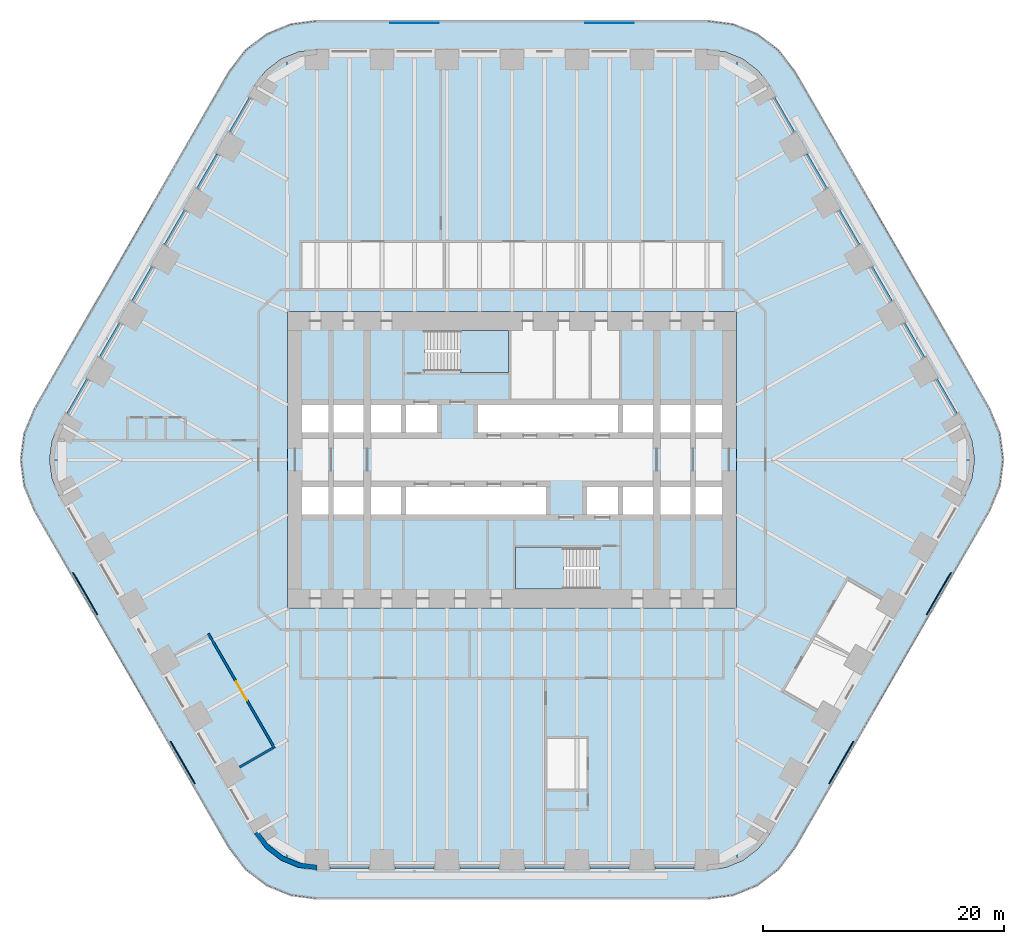
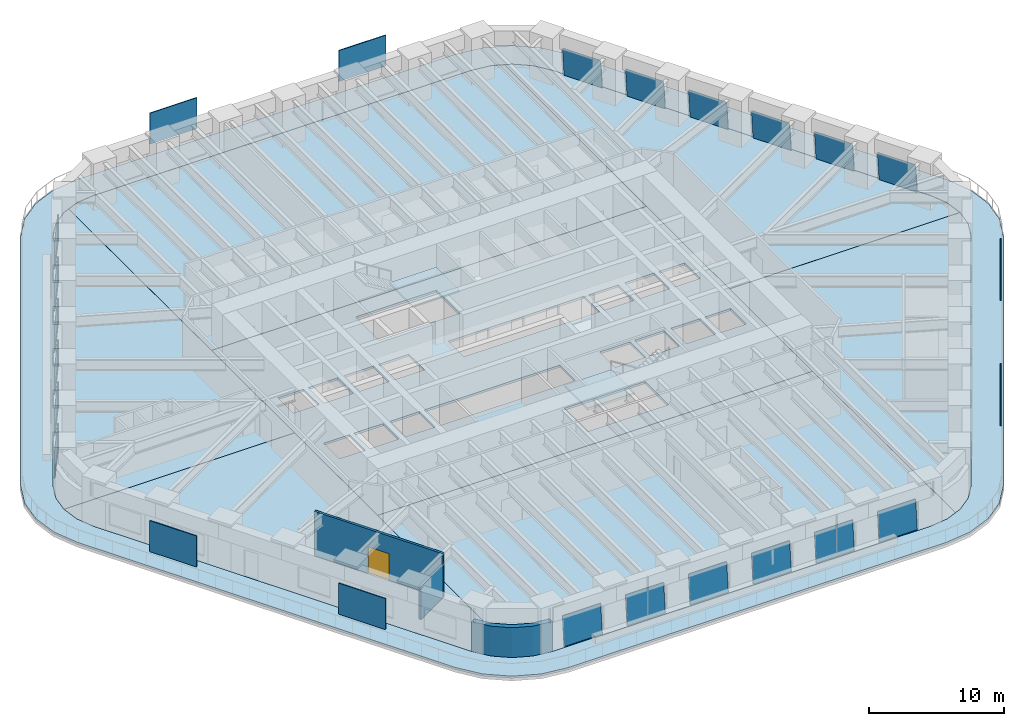
# One storey, part 15 of 23: 24 plates, 10 slabs, 3 walls, 1 door, 1 opening, 20 elements without a shape of their own.
"""IFC4 building model written with IfcOpenShell, lengths in metres."""

from ifc_helpers import new_model, si_unit, direction, frame, frame_2d, origin, origin_2d, place, context, subcontext, project, spatial, polyline, rectangle, outline, extrude, material, layer, layer_set, type_object, element, fill, aggregate, save


model = new_model("IFC4")

# Units and contexts
model_context = context("Model", 3, precision=1e-05, world=origin(), true_north=direction((0.0, 1.0)))
body_context = subcontext(model_context, "Body", "Model", "MODEL_VIEW")
ifc_project = project(units=[si_unit("LENGTHUNIT", "METRE"), si_unit("AREAUNIT", "SQUARE_METRE"), si_unit("VOLUMEUNIT", "CUBIC_METRE"), si_unit("PLANEANGLEUNIT", "RADIAN"), si_unit("MASSUNIT", "GRAM", prefix="KILO")], contexts=[model_context])

# Site, building, storey
site_placement = place(None, origin())
site = spatial("IfcSite", under=ifc_project, at=site_placement, CompositionType="ELEMENT")
building_placement = place(site_placement, origin())
building = spatial("IfcBuilding", under=site, at=building_placement, Name="Tarfa Lantern Tower", CompositionType="ELEMENT")
storey_placement = place(building_placement, frame((0.0, 0.0, 82.300048828125)))
storey = spatial("IfcBuildingStorey", under=building, at=storey_placement, Name="L18", CompositionType="ELEMENT", Elevation=82.300048828125)

# Slab
ifc_material_1 = material(Name="Concrete C40/50", Category="concrete")
ifc_layer_1 = layer(ifc_material_1, 0.199951171875)
ifc_layer_set_1 = layer_set([ifc_layer_1], Name="BS2 BALCONY SLAB 200")
slab_type_1 = type_object("IfcSlabType", Name="BS2 BALCONY SLAB 200", PredefinedType="FLOOR", material=ifc_layer_set_1)
slab_1_placement = place(storey_placement, frame((0.0, 0.0, -0.199951171875)))
element("IfcSlab", 1, at=slab_1_placement, inside=storey, type_object=slab_type_1, Name="Balcony L18", PredefinedType="FLOOR", context=body_context, shape_type="SweptSolid", body=[
    extrude(outline(polyline([(39.606201171875, 4.199951171875), (23.4404296875, 32.199951171875), (22.10546875, 33.939697265625), (20.36572265625, 35.274658203125), (18.33984375, 36.11376953125), (16.165771484375, 36.39990234375), (-16.165771484375, 36.39990234375), (-18.33984375, 36.11376953125), (-20.36572265625, 35.274658203125), (-22.10546875, 33.939697265625), (-23.4404296875, 32.199951171875), (-39.606201171875, 4.199951171875), (-40.4453125, 2.174072265625), (-40.731689453125, 0.0), (-40.4453125, -2.174072265625), (-39.606201171875, -4.199951171875), (-23.4404296875, -32.199951171875), (-22.10546875, -33.939697265625), (-20.36572265625, -35.274658203125), (-18.33984375, -36.11376953125), (-16.165771484375, -36.39990234375), (16.165771484375, -36.39990234375), (18.33984375, -36.11376953125), (20.36572265625, -35.274658203125), (22.10546875, -33.939697265625), (23.4404296875, -32.199951171875), (39.606201171875, -4.199951171875), (40.4453125, -2.174072265625), (40.731689453125, 0.0), (40.4453125, 2.174072265625), (39.606201171875, 4.199951171875)]), holes=[polyline([(37.52783203125, 3.0), (21.362060546875, 31.0), (20.408447265625, 32.24267578125), (19.165771484375, 33.196044921875), (17.71875, 33.795654296875), (16.165771484375, 34.0), (-16.165771484375, 34.0), (-17.71875, 33.795654296875), (-19.165771484375, 33.196044921875), (-20.408447265625, 32.24267578125), (-21.362060546875, 31.0), (-37.52783203125, 3.0), (-38.127197265625, 1.552978515625), (-38.33154296875, 0.0), (-38.127197265625, -1.552978515625), (-37.52783203125, -3.0), (-21.362060546875, -31.0), (-20.408447265625, -32.24267578125), (-19.165771484375, -33.196044921875), (-17.71875, -33.795654296875), (-16.165771484375, -34.0), (16.165771484375, -34.0), (17.71875, -33.795654296875), (19.165771484375, -33.196044921875), (20.408447265625, -32.24267578125), (21.362060546875, -31.0), (37.52783203125, -3.0), (38.127197265625, -1.552978515625), (38.33154296875, 0.0), (38.127197265625, 1.552978515625), (37.52783203125, 3.0)])]), origin(), (0.0, 0.0, 1.0), 0.199951171875),
])

# Curtain wall, plate
ifc_material_2 = material(Name="Aluminium framed curtain wall", Category="aluminium")
curtain_wall_type = type_object("IfcCurtainWallType", Name="CW1 CANTED GLAZING LOW ZONE 2700", PredefinedType="USERDEFINED", material=ifc_material_2)
curtain_wall_1_placement = place(storey_placement, origin())
curtain_wall_1 = element("IfcCurtainWall", 2, at=curtain_wall_1_placement, inside=storey, type_object=curtain_wall_type, Name="CW1 NE L18", ObjectType="CURTAIN WALL", PredefinedType="USERDEFINED")
ifc_material_3 = material(Name="Laminated double glazing", Category="glass")
ifc_layer_2 = layer(ifc_material_3, 0.028076171875)
ifc_layer_set_2 = layer_set([ifc_layer_2], Name="CWP1 DOUBLE GLAZED PANEL")
plate_type_1 = type_object("IfcPlateType", Name="CWP1 DOUBLE GLAZED PANEL", PredefinedType="CURTAIN_PANEL", material=ifc_layer_set_2)
plate_1_placement = place(storey_placement, frame((36.90869140625, 3.872314453125, 0.0), z_axis=(0.862338266797, 0.497864384763, 0.09221587717), x_axis=(-0.499995082658, 0.86602824279, 2.978908e-06)))
plate_1 = element("IfcPlate", 3, at=plate_1_placement, type_object=plate_type_1, Name="CW1 panel 1.1", PredefinedType="CURTAIN_PANEL", context=body_context, shape_type="SweptSolid", body=[
    extrude(outline(polyline([(0.0, 0.0), (3.258639560562134, 0.0), (3.2585208536427297, 2.646275738901332), (3.3621925729925773e-06, 2.646295235988971), (0.0, 0.0)])), origin(), (0.0, 0.0, -1.0), 0.028076171875),
])
aggregate(curtain_wall_1, [plate_1])

curtain_wall_2_placement = place(storey_placement, origin())
curtain_wall_2 = element("IfcCurtainWall", 4, at=curtain_wall_2_placement, inside=storey, type_object=curtain_wall_type, Name="CW1 NE L18", ObjectType="CURTAIN WALL", PredefinedType="USERDEFINED")
plate_2_placement = place(storey_placement, frame((34.21435546875, 8.5390625, 0.0), z_axis=(0.862325290636, 0.497894194109, 0.092176269198), x_axis=(-0.500022939057, 0.866012159509, 0.0)))
plate_2 = element("IfcPlate", 5, at=plate_2_placement, type_object=plate_type_1, Name="CW1 panel 1.1", PredefinedType="CURTAIN_PANEL", context=body_context, shape_type="SweptSolid", body=[
    extrude(outline(polyline([(0.0, 0.0), (3.2586395622623687, 0.0), (3.2585208519425555, 2.6462757409948594), (-0.0001187103198132533, 2.6462757409948594), (0.0, 0.0)])), origin(), (0.0, 0.0, -1.0), 0.028076171875),
])
aggregate(curtain_wall_2, [plate_2])

curtain_wall_3_placement = place(storey_placement, origin())
curtain_wall_3 = element("IfcCurtainWall", 6, at=curtain_wall_3_placement, inside=storey, type_object=curtain_wall_type, Name="CW1 NE L18", ObjectType="CURTAIN WALL", PredefinedType="USERDEFINED")
plate_3_placement = place(storey_placement, frame((31.52001953125, 13.20556640625, 0.0), z_axis=(0.862341934097, 0.49786650205, 0.092170140692), x_axis=(-0.499994605049, 0.866028518533, -2.977555e-06)))
plate_3 = element("IfcPlate", 7, at=plate_3_placement, type_object=plate_type_1, Name="CW1 panel 1.1", PredefinedType="CURTAIN_PANEL", context=body_context, shape_type="SweptSolid", body=[
    extrude(outline(polyline([(0.0, 0.0), (3.258517491508472, 2.7755575615628914e-17), (3.2587164564684317, 2.646283977845527), (7.689596458644864e-05, 2.6462644896978658), (0.0, 0.0)])), origin(), (0.0, 0.0, -1.0), 0.028076171875),
])
aggregate(curtain_wall_3, [plate_3])

curtain_wall_4_placement = place(storey_placement, origin())
curtain_wall_4 = element("IfcCurtainWall", 8, at=curtain_wall_4_placement, inside=storey, type_object=curtain_wall_type, Name="CW1 NE L18", ObjectType="CURTAIN WALL", PredefinedType="USERDEFINED")
plate_4_placement = place(storey_placement, frame((28.82568359375, 17.872314453125, 0.0), z_axis=(0.862338266797, 0.497864384763, 0.09221587717), x_axis=(-0.499994604812, 0.86602851867, -2.97902e-06)))
plate_4 = element("IfcPlate", 9, at=plate_4_placement, type_object=plate_type_1, Name="CW1 panel 1.1", PredefinedType="CURTAIN_PANEL", context=body_context, shape_type="SweptSolid", body=[
    extrude(outline(polyline([(0.0, 0.0), (3.2585174915084862, -2.7755575615628914e-17), (3.2585050197979823, 2.646295235961718), (-0.000134540705819584, 2.646275738143688), (0.0, 0.0)])), origin(), (0.0, 0.0, -1.0), 0.028076171875),
])
aggregate(curtain_wall_4, [plate_4])

curtain_wall_5_placement = place(storey_placement, origin())
curtain_wall_5 = element("IfcCurtainWall", 10, at=curtain_wall_5_placement, inside=storey, type_object=curtain_wall_type, Name="CW1 NE L18", ObjectType="CURTAIN WALL", PredefinedType="USERDEFINED")
plate_5_placement = place(storey_placement, frame((26.13134765625, 22.5390625, 0.0), z_axis=(0.862338266797, 0.497864384763, 0.09221587717), x_axis=(-0.499994604812, 0.86602851867, -2.97902e-06)))
plate_5 = element("IfcPlate", 11, at=plate_5_placement, type_object=plate_type_1, Name="CW1 panel 1.1", PredefinedType="CURTAIN_PANEL", context=body_context, shape_type="SweptSolid", body=[
    extrude(outline(polyline([(0.0, 0.0), (3.2585174915084862, -2.7755575615628914e-17), (3.2585050197979823, 2.646295235961718), (-0.000134540705819584, 2.646275738143688), (0.0, 0.0)])), origin(), (0.0, 0.0, -1.0), 0.028076171875),
])
aggregate(curtain_wall_5, [plate_5])

curtain_wall_6_placement = place(storey_placement, origin())
curtain_wall_6 = element("IfcCurtainWall", 12, at=curtain_wall_6_placement, inside=storey, type_object=curtain_wall_type, Name="CW1 NE L18", ObjectType="CURTAIN WALL", PredefinedType="USERDEFINED")
plate_6_placement = place(storey_placement, frame((23.437255859375, 27.20556640625, 0.0), z_axis=(0.862341934097, 0.49786650205, 0.092170140692), x_axis=(-0.499995082421, 0.866028242926, 2.977443e-06)))
plate_6 = element("IfcPlate", 13, at=plate_6_placement, type_object=plate_type_1, Name="CW1 panel 1.1", PredefinedType="CURTAIN_PANEL", context=body_context, shape_type="SweptSolid", body=[
    extrude(outline(polyline([(0.0, 0.0), (3.2586395605621195, -2.7755575615628914e-17), (3.2587322823927347, 2.64626448919067), (0.0002147909425344405, 2.6462839766083026), (0.0, 0.0)])), origin(), (0.0, 0.0, -1.0), 0.028076171875),
])
aggregate(curtain_wall_6, [plate_6])

curtain_wall_7_placement = place(storey_placement, origin())
curtain_wall_7 = element("IfcCurtainWall", 14, at=curtain_wall_7_placement, inside=storey, type_object=curtain_wall_type, Name="CW1 NW L18", ObjectType="CURTAIN WALL", PredefinedType="USERDEFINED")
plate_7_placement = place(storey_placement, frame((-21.807861328125, 30.027587890625, 0.0), z_axis=(-0.862341934097, 0.49786650205, 0.092170140692), x_axis=(-0.499995082421, -0.866028242926, -2.977443e-06)))
plate_7 = element("IfcPlate", 15, at=plate_7_placement, type_object=plate_type_1, Name="CW1 panel 1.1", PredefinedType="CURTAIN_PANEL", context=body_context, shape_type="SweptSolid", body=[
    extrude(outline(polyline([(0.0, 0.0), (3.2586395605621195, 2.7755575615628914e-17), (3.2584247696195847, 2.6462839766083026), (-9.272183061532521e-05, 2.64626448919067), (0.0, 0.0)])), origin(), (0.0, 0.0, -1.0), 0.028076171875),
])
aggregate(curtain_wall_7, [plate_7])

curtain_wall_8_placement = place(storey_placement, origin())
curtain_wall_8 = element("IfcCurtainWall", 16, at=curtain_wall_8_placement, inside=storey, type_object=curtain_wall_type, Name="CW1 NW L18", ObjectType="CURTAIN WALL", PredefinedType="USERDEFINED")
plate_8_placement = place(storey_placement, frame((-24.502197265625, 25.361083984375, 0.0), z_axis=(-0.862338266797, 0.497864384763, 0.09221587717), x_axis=(-0.499994604812, -0.86602851867, 2.97902e-06)))
plate_8 = element("IfcPlate", 17, at=plate_8_placement, type_object=plate_type_1, Name="CW1 panel 1.1", PredefinedType="CURTAIN_PANEL", context=body_context, shape_type="SweptSolid", body=[
    extrude(outline(polyline([(0.0, 0.0), (3.2585174915084862, 2.7755575615628914e-17), (3.2586520322143055, 2.646275738143688), (1.2471710504126e-05, 2.646295235961718), (0.0, 0.0)])), origin(), (0.0, 0.0, -1.0), 0.028076171875),
])
aggregate(curtain_wall_8, [plate_8])

curtain_wall_9_placement = place(storey_placement, origin())
curtain_wall_9 = element("IfcCurtainWall", 18, at=curtain_wall_9_placement, inside=storey, type_object=curtain_wall_type, Name="CW1 NW L18", ObjectType="CURTAIN WALL", PredefinedType="USERDEFINED")
plate_9_placement = place(storey_placement, frame((-27.196533203125, 20.6943359375, 0.0), z_axis=(-0.862338266797, 0.497864384763, 0.09221587717), x_axis=(-0.499994604812, -0.86602851867, 2.97902e-06)))
plate_9 = element("IfcPlate", 19, at=plate_9_placement, type_object=plate_type_1, Name="CW1 panel 1.1", PredefinedType="CURTAIN_PANEL", context=body_context, shape_type="SweptSolid", body=[
    extrude(outline(polyline([(0.0, 0.0), (3.2585174915084862, 2.7755575615628914e-17), (3.2586520322143055, 2.646275738143688), (1.2471710504126e-05, 2.646295235961718), (0.0, 0.0)])), origin(), (0.0, 0.0, -1.0), 0.028076171875),
])
aggregate(curtain_wall_9, [plate_9])

curtain_wall_10_placement = place(storey_placement, origin())
curtain_wall_10 = element("IfcCurtainWall", 20, at=curtain_wall_10_placement, inside=storey, type_object=curtain_wall_type, Name="CW1 NW L18", ObjectType="CURTAIN WALL", PredefinedType="USERDEFINED")
plate_10_placement = place(storey_placement, frame((-29.890869140625, 16.027587890625, 0.0), z_axis=(-0.862341934097, 0.49786650205, 0.092170140692), x_axis=(-0.499994605049, -0.866028518533, 2.977555e-06)))
plate_10 = element("IfcPlate", 21, at=plate_10_placement, type_object=plate_type_1, Name="CW1 panel 1.1", PredefinedType="CURTAIN_PANEL", context=body_context, shape_type="SweptSolid", body=[
    extrude(outline(polyline([(0.0, 0.0), (3.258517491508472, -2.7755575615628914e-17), (3.258440595543886, 2.6462644896978658), (-0.00019896495995976314, 2.646283977845527), (0.0, 0.0)])), origin(), (0.0, 0.0, -1.0), 0.028076171875),
])
aggregate(curtain_wall_10, [plate_10])

curtain_wall_11_placement = place(storey_placement, origin())
curtain_wall_11 = element("IfcCurtainWall", 22, at=curtain_wall_11_placement, inside=storey, type_object=curtain_wall_type, Name="CW1 NW L18", ObjectType="CURTAIN WALL", PredefinedType="USERDEFINED")
plate_11_placement = place(storey_placement, frame((-32.5849609375, 11.361083984375, 0.0), z_axis=(-0.862325290636, 0.497894194109, 0.092176269198), x_axis=(-0.500022939057, -0.866012159509, 0.0)))
plate_11 = element("IfcPlate", 23, at=plate_11_placement, type_object=plate_type_1, Name="CW1 panel 1.1", PredefinedType="CURTAIN_PANEL", context=body_context, shape_type="SweptSolid", body=[
    extrude(outline(polyline([(0.0, 0.0), (3.2586395622623687, 0.0), (3.258758272582182, 2.6462757409948594), (0.0001187103198132533, 2.6462757409948594), (0.0, 0.0)])), origin(), (0.0, 0.0, -1.0), 0.028076171875),
])
aggregate(curtain_wall_11, [plate_11])

curtain_wall_12_placement = place(storey_placement, origin())
curtain_wall_12 = element("IfcCurtainWall", 24, at=curtain_wall_12_placement, inside=storey, type_object=curtain_wall_type, Name="CW1 NW L18", ObjectType="CURTAIN WALL", PredefinedType="USERDEFINED")
plate_12_placement = place(storey_placement, frame((-35.279296875, 6.6943359375, 0.0), z_axis=(-0.862338266797, 0.497864384763, 0.09221587717), x_axis=(-0.499995082658, -0.86602824279, -2.978908e-06)))
plate_12 = element("IfcPlate", 25, at=plate_12_placement, type_object=plate_type_1, Name="CW1 panel 1.1", PredefinedType="CURTAIN_PANEL", context=body_context, shape_type="SweptSolid", body=[
    extrude(outline(polyline([(0.0, 0.0), (3.258639560562134, 0.0), (3.258636198369561, 2.646295235988971), (0.00011870691940396534, 2.646275738901332), (0.0, 0.0)])), origin(), (0.0, 0.0, -1.0), 0.028076171875),
])
aggregate(curtain_wall_12, [plate_12])

curtain_wall_13_placement = place(storey_placement, origin())
curtain_wall_13 = element("IfcCurtainWall", 26, at=curtain_wall_13_placement, inside=storey, type_object=curtain_wall_type, Name="CW1 S L18", ObjectType="CURTAIN WALL", PredefinedType="USERDEFINED")
plate_13_placement = place(storey_placement, frame((-15.100830078125, -33.89990234375, 0.0), z_axis=(0.0, -0.995743653657, 0.092166025202), x_axis=(1.0, 0.0, 0.0)))
plate_13 = element("IfcPlate", 27, at=plate_13_placement, type_object=plate_type_1, Name="CW1 panel 1.1", PredefinedType="CURTAIN_PANEL", context=body_context, shape_type="SweptSolid", body=[
    extrude(outline(polyline([(0.0, 0.0), (3.258544921875, 0.0), (3.258544921875, 2.6462732209712594), (0.0, 2.6462732209712594), (0.0, 0.0)])), origin(), (0.0, 0.0, -1.0), 0.028076171875),
])
aggregate(curtain_wall_13, [plate_13])

curtain_wall_14_placement = place(storey_placement, origin())
curtain_wall_14 = element("IfcCurtainWall", 28, at=curtain_wall_14_placement, inside=storey, type_object=curtain_wall_type, Name="CW1 S L18", ObjectType="CURTAIN WALL", PredefinedType="USERDEFINED")
plate_14_placement = place(storey_placement, frame((-9.712158203125, -33.89990234375, 0.0), z_axis=(0.0, -0.995743653657, 0.092166025202), x_axis=(1.0, 0.0, 0.0)))
plate_14 = element("IfcPlate", 29, at=plate_14_placement, type_object=plate_type_1, Name="CW1 panel 1.1", PredefinedType="CURTAIN_PANEL", context=body_context, shape_type="SweptSolid", body=[
    extrude(outline(polyline([(0.0, 0.0), (3.258544921875, 0.0), (3.258544921875, 2.6462732209712594), (0.0, 2.6462732209712594), (0.0, 0.0)])), origin(), (0.0, 0.0, -1.0), 0.028076171875),
])
aggregate(curtain_wall_14, [plate_14])

curtain_wall_15_placement = place(storey_placement, origin())
curtain_wall_15 = element("IfcCurtainWall", 30, at=curtain_wall_15_placement, inside=storey, type_object=curtain_wall_type, Name="CW1 S L18", ObjectType="CURTAIN WALL", PredefinedType="USERDEFINED")
plate_15_placement = place(storey_placement, frame((-4.323486328125, -33.89990234375, 0.0), z_axis=(0.0, -0.995743653657, 0.092166025202), x_axis=(1.0, 0.0, 0.0)))
plate_15 = element("IfcPlate", 31, at=plate_15_placement, type_object=plate_type_1, Name="CW1 panel 1.1", PredefinedType="CURTAIN_PANEL", context=body_context, shape_type="SweptSolid", body=[
    extrude(outline(polyline([(0.0, 0.0), (3.258544921875, 0.0), (3.258544921875, 2.6462732209712594), (0.0, 2.6462732209712594), (0.0, 0.0)])), origin(), (0.0, 0.0, -1.0), 0.028076171875),
])
aggregate(curtain_wall_15, [plate_15])

curtain_wall_16_placement = place(storey_placement, origin())
curtain_wall_16 = element("IfcCurtainWall", 32, at=curtain_wall_16_placement, inside=storey, type_object=curtain_wall_type, Name="CW1 S L18", ObjectType="CURTAIN WALL", PredefinedType="USERDEFINED")
plate_16_placement = place(storey_placement, frame((1.06494140625, -33.89990234375, 0.0), z_axis=(0.0, -0.995743653657, 0.092166025202), x_axis=(1.0, 0.0, 0.0)))
plate_16 = element("IfcPlate", 33, at=plate_16_placement, type_object=plate_type_1, Name="CW1 panel 1.1", PredefinedType="CURTAIN_PANEL", context=body_context, shape_type="SweptSolid", body=[
    extrude(outline(polyline([(0.0, 0.0), (3.258544921875, 0.0), (3.258544921875, 2.6462732209712594), (0.0, 2.6462732209712594), (0.0, 0.0)])), origin(), (0.0, 0.0, -1.0), 0.028076171875),
])
aggregate(curtain_wall_16, [plate_16])

curtain_wall_17_placement = place(storey_placement, origin())
curtain_wall_17 = element("IfcCurtainWall", 34, at=curtain_wall_17_placement, inside=storey, type_object=curtain_wall_type, Name="CW1 S L18", ObjectType="CURTAIN WALL", PredefinedType="USERDEFINED")
plate_17_placement = place(storey_placement, frame((6.45361328125, -33.89990234375, 0.0), z_axis=(0.0, -0.995743653657, 0.092166025202), x_axis=(1.0, 0.0, 0.0)))
plate_17 = element("IfcPlate", 35, at=plate_17_placement, type_object=plate_type_1, Name="CW1 panel 1.1", PredefinedType="CURTAIN_PANEL", context=body_context, shape_type="SweptSolid", body=[
    extrude(outline(polyline([(0.0, 0.0), (3.258544921875, 0.0), (3.258544921875, 2.6462732209712594), (0.0, 2.6462732209712594), (0.0, 0.0)])), origin(), (0.0, 0.0, -1.0), 0.028076171875),
])
aggregate(curtain_wall_17, [plate_17])

curtain_wall_18_placement = place(storey_placement, origin())
curtain_wall_18 = element("IfcCurtainWall", 36, at=curtain_wall_18_placement, inside=storey, type_object=curtain_wall_type, Name="CW1 S L18", ObjectType="CURTAIN WALL", PredefinedType="USERDEFINED")
plate_18_placement = place(storey_placement, frame((11.84228515625, -33.89990234375, 0.0), z_axis=(0.0, -0.995743653657, 0.092166025202), x_axis=(1.0, 0.0, 0.0)))
plate_18 = element("IfcPlate", 37, at=plate_18_placement, type_object=plate_type_1, Name="CW1 panel 1.1", PredefinedType="CURTAIN_PANEL", context=body_context, shape_type="SweptSolid", body=[
    extrude(outline(polyline([(0.0, 0.0), (3.258544921875, 0.0), (3.258544921875, 2.6462732209712594), (0.0, 2.6462732209712594), (0.0, 0.0)])), origin(), (0.0, 0.0, -1.0), 0.028076171875),
])
aggregate(curtain_wall_18, [plate_18])

# Slabs
ifc_layer_3 = layer(ifc_material_1, 0.199951171875)
ifc_layer_set_3 = layer_set([ifc_layer_3], Name="FS1 FLOOR SLAB 200")
slab_type_2 = type_object("IfcSlabType", Name="FS1 FLOOR SLAB 200", PredefinedType="FLOOR", material=ifc_layer_set_3)
slab_2_placement = place(storey_placement, frame((0.0, 0.0, -0.199951171875)))
element("IfcSlab", 38, at=slab_2_placement, inside=storey, type_object=slab_type_2, Name="Floor slab L18", PredefinedType="FLOOR", context=body_context, shape_type="SweptSolid", body=[
    extrude(outline(polyline([(-18.60009765625, -12.300048828125), (18.60009765625, -12.300048828125), (18.60009765625, 12.300048828125), (-18.60009765625, 12.300048828125), (-18.60009765625, -12.300048828125)]), holes=[polyline([(-17.39990234375, 2.25), (-15.199951171875, 2.25), (-15.199951171875, 4.550048828125), (-17.39990234375, 4.550048828125), (-17.39990234375, 2.25)]), polyline([(-14.800048828125, 2.25), (-12.300048828125, 2.25), (-12.300048828125, 4.550048828125), (-14.800048828125, 4.550048828125), (-14.800048828125, 2.25)]), polyline([(-11.699951171875, 2.25), (-9.199951171875, 2.25), (-9.199951171875, 4.550048828125), (-11.699951171875, 4.550048828125), (-11.699951171875, 2.25)]), polyline([(-8.800048828125, 2.25), (-6.199951171875, 2.25), (-6.199951171875, 4.550048828125), (-8.800048828125, 4.550048828125), (-8.800048828125, 2.25)]), polyline([(-2.800048828125, 2.25), (8.800048828125, 2.25), (8.800048828125, 4.550048828125), (-2.800048828125, 4.550048828125), (-2.800048828125, 2.25)]), polyline([(9.199951171875, 2.25), (11.699951171875, 2.25), (11.699951171875, 4.550048828125), (9.199951171875, 4.550048828125), (9.199951171875, 2.25)]), polyline([(12.300048828125, 2.25), (14.800048828125, 2.25), (14.800048828125, 4.550048828125), (12.300048828125, 4.550048828125), (12.300048828125, 2.25)]), polyline([(15.199951171875, 2.25), (17.39990234375, 2.25), (17.39990234375, 4.550048828125), (15.199951171875, 4.550048828125), (15.199951171875, 2.25)]), polyline([(17.39990234375, -2.25), (15.199951171875, -2.25), (15.199951171875, -4.550048828125), (17.39990234375, -4.550048828125), (17.39990234375, -2.25)]), polyline([(14.800048828125, -2.25), (12.300048828125, -2.25), (12.300048828125, -4.550048828125), (14.800048828125, -4.550048828125), (14.800048828125, -2.25)]), polyline([(11.699951171875, -2.25), (9.199951171875, -2.25), (9.199951171875, -4.550048828125), (11.699951171875, -4.550048828125), (11.699951171875, -2.25)]), polyline([(8.800048828125, -2.25), (6.199951171875, -2.25), (6.199951171875, -4.550048828125), (8.800048828125, -4.550048828125), (8.800048828125, -2.25)]), polyline([(2.800048828125, -2.25), (-8.800048828125, -2.25), (-8.800048828125, -4.550048828125), (2.800048828125, -4.550048828125), (2.800048828125, -2.25)]), polyline([(-9.199951171875, -2.25), (-11.699951171875, -2.25), (-11.699951171875, -4.550048828125), (-9.199951171875, -4.550048828125), (-9.199951171875, -2.25)]), polyline([(-12.300048828125, -2.25), (-14.800048828125, -2.25), (-14.800048828125, -4.550048828125), (-12.300048828125, -4.550048828125), (-12.300048828125, -2.25)]), polyline([(-15.199951171875, -2.25), (-17.39990234375, -2.25), (-17.39990234375, -4.550048828125), (-15.199951171875, -4.550048828125), (-15.199951171875, -2.25)]), polyline([(-7.199951171875, 7.25), (-0.300048828125, 7.25), (-0.300048828125, 10.699951171875), (-7.199951171875, 10.699951171875), (-7.199951171875, 7.25)]), polyline([(7.199951171875, -7.25), (0.300048828125, -7.25), (0.300048828125, -10.699951171875), (7.199951171875, -10.699951171875), (7.199951171875, -7.25)])]), origin(), (0.0, 0.0, 1.0), 0.199951171875),
])
slab_3_placement = place(storey_placement, frame((0.0, 0.0, -0.199951171875)))
element("IfcSlab", 39, at=slab_3_placement, inside=storey, type_object=slab_type_2, Name="Floor slab L18 NE bay", PredefinedType="FLOOR", context=body_context, shape_type="SweptSolid", body=[
    extrude(outline(polyline([(37.52587890625, 2.9990234375), (21.3603515625, 30.998779296875), (20.406982421875, 32.2412109375), (19.164794921875, 33.1943359375), (18.64697265625, 33.408935546875), (18.60205078125, 12.300048828125), (18.60205078125, 0.001953125), (38.329345703125, 0.001953125), (38.125244140625, 1.552490234375), (37.52587890625, 2.9990234375)])), origin(), (0.0, 0.0, 1.0), 0.199951171875),
])
slab_4_placement = place(storey_placement, frame((0.0, 0.0, -0.199951171875)))
element("IfcSlab", 40, at=slab_4_placement, inside=storey, type_object=slab_type_2, Name="Floor slab L18 N bay", PredefinedType="FLOOR", context=body_context, shape_type="SweptSolid", body=[
    extrude(outline(polyline([(-18.597900390625, 12.302001953125), (18.597900390625, 12.302001953125), (18.64306640625, 33.41064453125), (17.71826171875, 33.793701171875), (16.165771484375, 33.998046875), (-16.165771484375, 33.998046875), (-17.71826171875, 33.793701171875), (-18.64306640625, 33.41064453125), (-18.597900390625, 12.302001953125)])), origin(), (0.0, 0.0, 1.0), 0.199951171875),
])
slab_5_placement = place(storey_placement, frame((0.0, 0.0, -0.199951171875)))
element("IfcSlab", 41, at=slab_5_placement, inside=storey, type_object=slab_type_2, Name="Floor slab L18 NW bay", PredefinedType="FLOOR", context=body_context, shape_type="SweptSolid", body=[
    extrude(outline(polyline([(-18.60205078125, 0.001953125), (-18.60205078125, 12.300048828125), (-18.64697265625, 33.408935546875), (-19.164794921875, 33.1943359375), (-20.406982421875, 32.2412109375), (-21.3603515625, 30.998779296875), (-37.52587890625, 2.9990234375), (-38.125244140625, 1.552490234375), (-38.329345703125, 0.001953125), (-18.60205078125, 0.001953125)])), origin(), (0.0, 0.0, 1.0), 0.199951171875),
])
slab_6_placement = place(storey_placement, frame((0.0, 0.0, -0.199951171875)))
element("IfcSlab", 42, at=slab_6_placement, inside=storey, type_object=slab_type_2, Name="Floor slab L18 SW bay", PredefinedType="FLOOR", context=body_context, shape_type="SweptSolid", body=[
    extrude(outline(polyline([(-18.60205078125, -12.300048828125), (-18.60205078125, -0.001953125), (-38.329345703125, -0.001953125), (-38.125244140625, -1.552490234375), (-37.52587890625, -2.9990234375), (-21.3603515625, -30.998779296875), (-20.406982421875, -32.2412109375), (-19.164794921875, -33.1943359375), (-18.64697265625, -33.408935546875), (-18.60205078125, -12.300048828125)])), origin(), (0.0, 0.0, 1.0), 0.199951171875),
])
slab_7_placement = place(storey_placement, frame((0.0, 0.0, -0.199951171875)))
element("IfcSlab", 43, at=slab_7_placement, inside=storey, type_object=slab_type_2, Name="Floor slab L18 S bay", PredefinedType="FLOOR", context=body_context, shape_type="SweptSolid", body=[
    extrude(outline(polyline([(18.597900390625, -12.302001953125), (-18.597900390625, -12.302001953125), (-18.64306640625, -33.41064453125), (-17.71826171875, -33.793701171875), (-16.165771484375, -33.998046875), (16.165771484375, -33.998046875), (17.71826171875, -33.793701171875), (18.64306640625, -33.41064453125), (18.597900390625, -12.302001953125)])), origin(), (0.0, 0.0, 1.0), 0.199951171875),
])
slab_8_placement = place(storey_placement, frame((0.0, 0.0, -0.199951171875)))
element("IfcSlab", 44, at=slab_8_placement, inside=storey, type_object=slab_type_2, Name="Floor slab L18 SE bay", PredefinedType="FLOOR", context=body_context, shape_type="SweptSolid", body=[
    extrude(outline(polyline([(18.60205078125, -0.001953125), (18.60205078125, -12.300048828125), (18.64697265625, -33.408935546875), (19.164794921875, -33.1943359375), (20.406982421875, -32.2412109375), (21.3603515625, -30.998779296875), (37.52587890625, -2.9990234375), (38.125244140625, -1.552490234375), (38.329345703125, -0.001953125), (18.60205078125, -0.001953125)])), origin(), (0.0, 0.0, 1.0), 0.199951171875),
])

# Plates
ifc_material_4 = material(Name="Perforated limestone screen", Category="masonry")
ifc_layer_4 = layer(ifc_material_4, 0.080078125)
ifc_layer_set_4 = layer_set([ifc_layer_4], Name="SC1 STONE SCREEN 80")
plate_type_2 = type_object("IfcPlateType", Name="SC1 STONE SCREEN 80", PredefinedType="USERDEFINED", material=ifc_layer_set_4)
for number, where, z_axis, x_axis, name in (
    (45, (8.0830078125, 36.199951171875, 1.19970703125), (0.0, 0.0, 1.0), (-1.0, 0.0, 0.0), "Stone screen N 1"),
    (46, (-8.0830078125, 36.199951171875, 1.19970703125), (0.0, 0.0, 1.0), (-1.0, 0.0, 0.0), "Stone screen N 2"),
    (47, (-35.3916015625, -11.10009765625, 1.19970703125), (0.0, 0.0, 1.0), (0.5, -0.866025403784, 0.0), "Stone screen SW 1"),
    (48, (-27.30859375, -25.10009765625, 1.19970703125), (0.0, 0.0, 1.0), (0.5, -0.866025403784, 0.0), "Stone screen SW 2"),
    (49, (27.30859375, -25.10009765625, 1.19970703125), (0.0, 0.0, 1.0), (0.5, 0.866025403784, 0.0), "Stone screen SE 1"),
    (50, (35.3916015625, -11.10009765625, 1.19970703125), (0.0, 0.0, 1.0), (0.5, 0.866025403784, 0.0), "Stone screen SE 2"),
):
    element("IfcPlate", number, at=place(storey_placement, frame(where, z_axis=z_axis, x_axis=x_axis)), inside=storey, type_object=plate_type_2, Name=name, ObjectType="SCREEN", PredefinedType="USERDEFINED", context=body_context, shape_type="SweptSolid", body=[
        extrude(rectangle(XDim=4.0, YDim=0.080078125, at=origin_2d()), origin(), (0.0, 0.0, 1.0), 2.800048828125),
    ])

# Stair, slab
stair_type = type_object("IfcStairType", Name="ST-T10 HALF-TURN STAIR 4200 RISE", PredefinedType="HALF_TURN_STAIR", material=ifc_material_1)
stair_1_placement = place(storey_placement, origin())
stair_1 = element("IfcStair", 51, at=stair_1_placement, inside=storey, type_object=stair_type, Name="Stair ST1", PredefinedType="HALF_TURN_STAIR")
ifc_layer_5 = layer(ifc_material_1, 0.199951171875)
ifc_layer_set_5 = layer_set([ifc_layer_5], Name="SL1 STAIR LANDING 200")
slab_type_3 = type_object("IfcSlabType", Name="SL1 STAIR LANDING 200", PredefinedType="LANDING", material=ifc_layer_set_5)
slab_9_placement = place(storey_placement, frame((0.0, 0.0, 1.89990234375)))
slab_9 = element("IfcSlab", 52, at=slab_9_placement, type_object=slab_type_3, Name="ST1 landing 1", PredefinedType="LANDING", context=body_context, shape_type="SweptSolid", body=[
    extrude(outline(polyline([(-4.320068359375, 7.25), (-0.300048828125, 7.25), (-0.300048828125, 10.699951171875), (-4.320068359375, 10.699951171875), (-4.320068359375, 7.25)])), origin(), (0.0, 0.0, 1.0), 0.199951171875),
])
aggregate(stair_1, [slab_9])

stair_2_placement = place(storey_placement, origin())
stair_2 = element("IfcStair", 53, at=stair_2_placement, inside=storey, type_object=stair_type, Name="Stair ST2", PredefinedType="HALF_TURN_STAIR")
slab_10_placement = place(storey_placement, frame((0.0, 0.0, 1.89990234375)))
slab_10 = element("IfcSlab", 54, at=slab_10_placement, type_object=slab_type_3, Name="ST2 landing 1", PredefinedType="LANDING", context=body_context, shape_type="SweptSolid", body=[
    extrude(outline(polyline([(4.320068359375, -7.25), (0.300048828125, -7.25), (0.300048828125, -10.699951171875), (4.320068359375, -10.699951171875), (4.320068359375, -7.25)])), origin(), (0.0, 0.0, 1.0), 0.199951171875),
])
aggregate(stair_2, [slab_10])

# Wall
ifc_material_5 = material(Name="Limestone cladding on blockwork", Category="masonry")
ifc_layer_6 = layer(ifc_material_5, 0.39990234375)
ifc_layer_set_6 = layer_set([ifc_layer_6], Name="EW2 CURVED STONE CORNER 400")
wall_type_1 = type_object("IfcWallType", Name="EW2 CURVED STONE CORNER 400", PredefinedType="SOLIDWALL", material=ifc_layer_set_6)
wall_1_placement = place(storey_placement, origin())
element("IfcWall", 55, at=wall_1_placement, inside=storey, type_object=wall_type_1, Name="Stone corner SW-S", PredefinedType="SOLIDWALL", context=body_context, shape_type="SweptSolid", body=[
    extrude(outline(polyline([(-21.362060546875, -31.0), (-20.408447265625, -32.24267578125), (-19.165771484375, -33.196044921875), (-17.71875, -33.795654296875), (-16.165771484375, -34.0), (-16.165771484375, -33.60009765625), (-17.615234375, -33.4091796875), (-18.9658203125, -32.849853515625), (-20.12548828125, -31.959716796875), (-21.015625, -30.800048828125), (-21.362060546875, -31.0)])), origin(), (0.0, 0.0, 1.0), 2.699951171875),
])

# Wall, opening, door
ifc_material_6 = material(Name="Gypsum board on steel studs", Category="steel")
ifc_layer_7 = layer(ifc_material_6, 0.2099609375)
ifc_layer_set_7 = layer_set([ifc_layer_7], Name="IW2 ACOUSTIC PARTITION 200")
wall_type_2 = type_object("IfcWallType", Name="IW2 ACOUSTIC PARTITION 200", PredefinedType="PARTITIONING", material=ifc_layer_set_7)
wall_2_placement = place(storey_placement, frame((-25.164794921875, -14.413330078125, 0.0), z_axis=(0.0, 0.0, 1.0), x_axis=(0.500009305389, -0.866020031249, 0.0)))
wall_2 = element("IfcWall", 56, at=wall_2_placement, inside=storey, type_object=wall_type_2, Name="Partition", PredefinedType="PARTITIONING", context=body_context, shape_type="SweptSolid", body=[
    extrude(rectangle(XDim=10.977294921875, YDim=0.199951171875, at=frame_2d((5.48876953125, 0.0))), origin(), (0.0, 0.0, 1.0), 4.0),
])
opening_placement = place(wall_2_placement, frame((4.588623046875, 0.0, 0.0)))
opening = element("IfcOpeningElement", 57, at=opening_placement, cuts=wall_2, Name="Opening D31", PredefinedType="OPENING", context=body_context, shape_type="SweptSolid", body=[
    extrude(rectangle(XDim=1.800048828125, YDim=2.39990234375, at=frame_2d((0.89990234375, 1.199951171875))), frame((0.0, 0.10986328125, 0.0), z_axis=(0.0, -1.0, 0.0), x_axis=(1.0, 0.0, 0.0)), (0.0, 0.0, 1.0), 0.219970703125),
])
ifc_material_7 = material(Name="Timber door", Category="wood")
door_type = type_object("IfcDoorType", Name="DR2 ROOM DOOR 1800x2400", OperationType="DOUBLE_DOOR_SINGLE_SWING", PredefinedType="DOOR", material=ifc_material_7)
door_placement = place(opening_placement, frame((1.800048828125, 0.0, 0.0), z_axis=(0.0, 0.0, 1.0), x_axis=(-1.0, 0.0, 0.0)))
door = element("IfcDoor", 58, at=door_placement, inside=storey, type_object=door_type, Name="Pantry door", OperationType="DOUBLE_DOOR_SINGLE_SWING", OverallHeight=2.39990234375, OverallWidth=1.800048828125, PredefinedType="DOOR", context=body_context, shape_type="SweptSolid", body=[
    extrude(rectangle(XDim=1.800048828125, YDim=2.39990234375, at=frame_2d((0.89990234375, 1.199951171875))), frame((0.0, 0.02490234375, 0.0), z_axis=(0.0, -1.0, 0.0), x_axis=(1.0, 0.0, 0.0)), (0.0, 0.0, 1.0), 0.050048828125),
])
fill(opening, door)

# Wall
wall_3_placement = place(storey_placement, frame((-19.812744140625, -23.88330078125, 0.0), z_axis=(0.0, 0.0, 1.0), x_axis=(-0.866008981251, -0.500028443584, 0.0)))
element("IfcWall", 59, at=wall_3_placement, inside=storey, type_object=wall_type_2, Name="Partition", PredefinedType="PARTITIONING", context=body_context, shape_type="SweptSolid", body=[
    extrude(rectangle(XDim=3.199951171875, YDim=0.199951171875, at=frame_2d((1.60009765625, 0.0))), origin(), (0.0, 0.0, 1.0), 2.991943359375),
])

save(model, "model.ifc")
